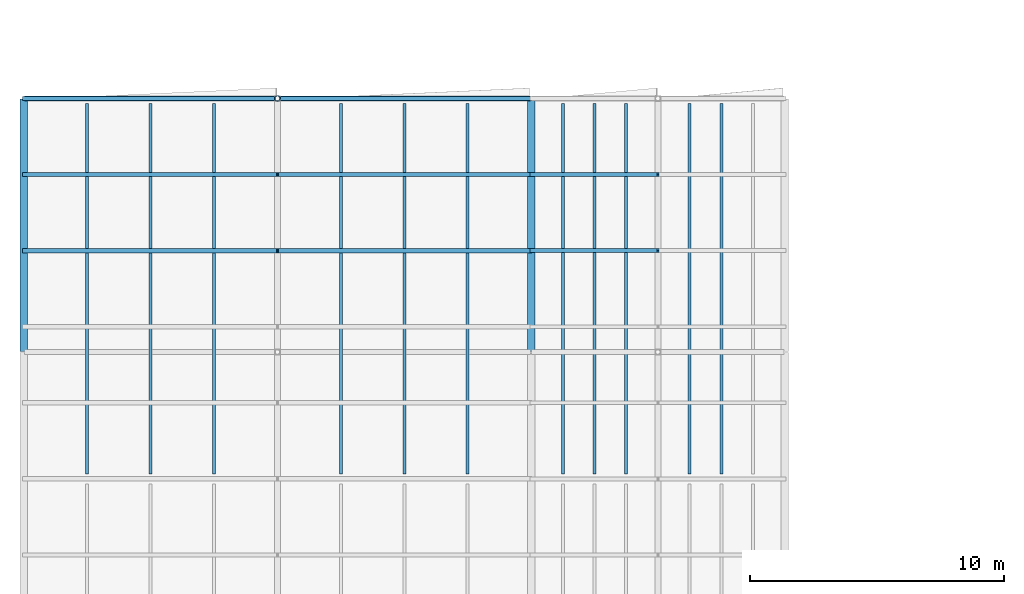
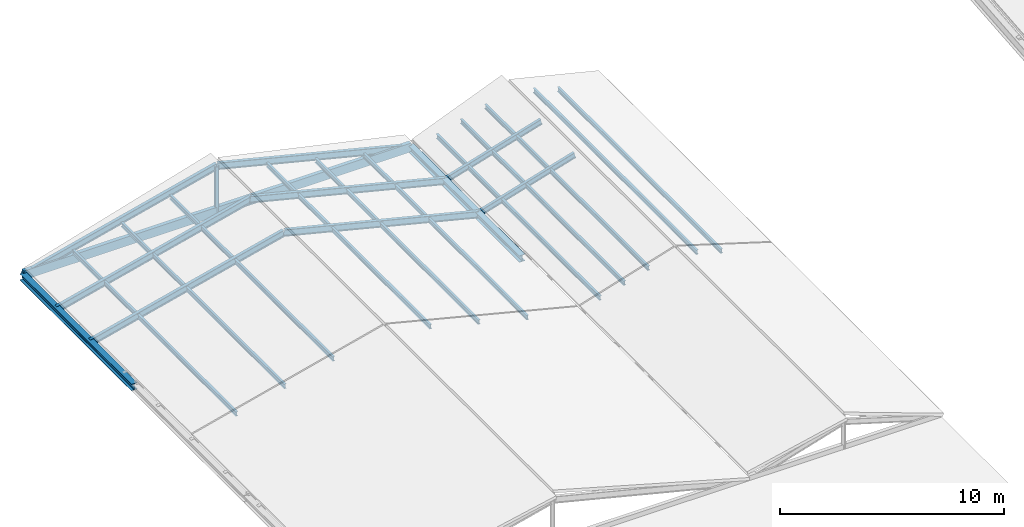
# One storey, part 7 of 90: 20 members, 3 beams.
"""IFC4 building model written with IfcOpenShell, lengths in metres."""

from ifc_helpers import new_model, si_unit, direction, frame, origin, origin_2d, place, context, subcontext, project, spatial, rectangle, hollow_circle, i_section, extrude, material, material_profile, profile_set, type_object, element, save


model = new_model("IFC4")

# Units and contexts
model_context = context("Model", 3, precision=1e-05, world=origin(), true_north=direction((0.0, 1.0)))
body_context = subcontext(model_context, "Body", "Model", "MODEL_VIEW")
ifc_project = project(units=[si_unit("LENGTHUNIT", "METRE"), si_unit("AREAUNIT", "SQUARE_METRE"), si_unit("VOLUMEUNIT", "CUBIC_METRE"), si_unit("PLANEANGLEUNIT", "RADIAN"), si_unit("MASSUNIT", "GRAM", prefix="KILO"), si_unit("THERMODYNAMICTEMPERATUREUNIT", "KELVIN"), si_unit("POWERUNIT", "WATT")], contexts=[model_context])

# Site, building, storey
site_placement = place(None, origin())
site = spatial("IfcSite", under=ifc_project, at=site_placement, CompositionType="ELEMENT")
building_placement = place(site_placement, origin())
building = spatial("IfcBuilding", under=site, at=building_placement, Name="Korenveer Ferry Terminal", CompositionType="ELEMENT")
storey_placement = place(building_placement, frame((0.0, 0.0, 22.199951171875)))
storey = spatial("IfcBuildingStorey", under=building, at=storey_placement, Name="RF", CompositionType="ELEMENT", Elevation=22.199951171875)

# Beams
ifc_material_1 = material(Name="Steel S355", Category="steel")
ifc_material_profile_1 = material_profile(ifc_material_1, i_section(OverallWidth=0.300048828125, OverallDepth=0.360107421875, WebThickness=0.012451171875, FlangeThickness=0.0224609375, FilletRadius=0.027099609375, at=origin_2d()), Name="HEB 360")
ifc_profile_set_1 = profile_set([ifc_material_profile_1], Name="Steel S355")
beam_type_1 = type_object("IfcBeamType", Name="STR-BM-HEB360", PredefinedType="BEAM", material=ifc_profile_set_1)
for number, where, z_axis, x_axis, name in (
    (1, (0.0, 50.02001953125, 0.179931640625), (0.0, 1.0, 0.0), (-1.0, 0.0, 0.0), "Wing eave beam WEST 174"),
    (2, (20.0, 50.02001953125, 0.179931640625), (0.0, 1.0, 0.0), (-1.0, 0.0, 0.0), "Wing eave beam WEST 177"),
):
    element("IfcBeam", number, at=place(storey_placement, frame(where, z_axis=z_axis, x_axis=x_axis)), inside=storey, type_object=beam_type_1, Name=name, PredefinedType="BEAM", context=body_context, shape_type="SweptSolid", body=[
        extrude(i_section(OverallWidth=0.300048828125, OverallDepth=0.360107421875, WebThickness=0.012451171875, FlangeThickness=0.0224609375, FilletRadius=0.027099609375, at=origin_2d()), origin(), (0.0, 0.0, 1.0), 9.9599609375),
    ])

# Members
ifc_material_profile_2 = material_profile(ifc_material_1, i_section(OverallWidth=0.1201171875, OverallDepth=0.239990234375, WebThickness=0.006103515625, FlangeThickness=0.009765625, FilletRadius=0.014892578125, at=origin_2d()), Name="IPE 240")
ifc_profile_set_2 = profile_set([ifc_material_profile_2], Name="Steel S355")
member_type_1 = type_object("IfcMemberType", Name="STR-PUR-IPE240", PredefinedType="PURLIN", material=ifc_profile_set_2)
for number, where, z_axis, x_axis, name in (
    (3, (2.5, 45.199951171875, 0.7451171875), (0.0, 1.0, 0.0), (-1.0, 0.0, 0.0), "Pitched wing roof steel purlin 278"),
    (4, (5.0, 45.199951171875, 1.3701171875), (0.0, 1.0, 0.0), (-1.0, 0.0, 0.0), "Pitched wing roof steel purlin 280"),
    (5, (7.5, 45.199951171875, 1.9951171875), (0.0, 1.0, 0.0), (-1.0, 0.0, 0.0), "Pitched wing roof steel purlin 282"),
    (6, (12.5, 45.199951171875, 1.9951171875), (0.0, 1.0, 0.0), (-1.0, 0.0, 0.0), "Pitched wing roof steel purlin 284"),
    (7, (15.0, 45.199951171875, 1.3701171875), (0.0, 1.0, 0.0), (-1.0, 0.0, 0.0), "Pitched wing roof steel purlin 286"),
    (8, (17.5, 45.199951171875, 0.7451171875), (0.0, 1.0, 0.0), (-1.0, 0.0, 0.0), "Pitched wing roof steel purlin 288"),
    (9, (21.25, 45.199951171875, 0.4951171875), (0.0, 1.0, 0.0), (-1.0, 0.0, 0.0), "Pitched wing roof steel purlin 290"),
    (10, (22.5, 45.199951171875, 0.8701171875), (0.0, 1.0, 0.0), (-1.0, 0.0, 0.0), "Pitched wing roof steel purlin 292"),
    (11, (23.75, 45.199951171875, 1.2451171875), (0.0, 1.0, 0.0), (-1.0, 0.0, 0.0), "Pitched wing roof steel purlin 294"),
    (12, (26.25, 45.199951171875, 1.2451171875), (0.0, 1.0, 0.0), (-1.0, 0.0, 0.0), "Pitched wing roof steel purlin 296"),
    (13, (27.5, 45.199951171875, 0.8701171875), (0.0, 1.0, 0.0), (-1.0, 0.0, 0.0), "Pitched wing roof steel purlin 298"),
):
    element("IfcMember", number, at=place(storey_placement, frame(where, z_axis=z_axis, x_axis=x_axis)), inside=storey, type_object=member_type_1, Name=name, PredefinedType="PURLIN", context=body_context, shape_type="SweptSolid", body=[
        extrude(i_section(OverallWidth=0.1201171875, OverallDepth=0.239990234375, WebThickness=0.006103515625, FlangeThickness=0.009765625, FilletRadius=0.014892578125, at=origin_2d()), origin(), (0.0, 0.0, 1.0), 14.60009765625),
    ])
ifc_material_profile_3 = material_profile(ifc_material_1, i_section(OverallWidth=0.14990234375, OverallDepth=0.300048828125, WebThickness=0.007080078125, FlangeThickness=0.0107421875, FilletRadius=0.014892578125, at=origin_2d()), Name="IPE 300")
ifc_profile_set_3 = profile_set([ifc_material_profile_3], Name="Steel S355")
member_type_2 = type_object("IfcMemberType", Name="STR-RAF-IPE300", PredefinedType="RAFTER", material=ifc_profile_set_3)
for number, where, z_axis, x_axis, name in (
    (14, (20.0, 54.0, 0.179931640625), (0.957826285221, 0.0, 0.287347885566), (0.0, 1.0, 0.0), "Pitched roof rafter 123"),
    (15, (20.0, 57.0, 0.179931640625), (0.957826285221, 0.0, 0.287347885566), (0.0, 1.0, 0.0), "Pitched roof rafter 125"),
):
    element("IfcMember", number, at=place(storey_placement, frame(where, z_axis=z_axis, x_axis=x_axis)), inside=storey, type_object=member_type_2, Name=name, PredefinedType="RAFTER", context=body_context, shape_type="SweptSolid", body=[
        extrude(i_section(OverallWidth=0.14990234375, OverallDepth=0.300048828125, WebThickness=0.007080078125, FlangeThickness=0.0107421875, FilletRadius=0.014892578125, at=origin_2d()), origin(), (0.0, 0.0, 1.0), 5.22021484375),
    ])
ifc_material_profile_4 = material_profile(ifc_material_1, i_section(OverallWidth=0.169921875, OverallDepth=0.360107421875, WebThickness=0.008056640625, FlangeThickness=0.0126953125, FilletRadius=0.01806640625, at=origin_2d()), Name="IPE 360")
ifc_profile_set_4 = profile_set([ifc_material_profile_4], Name="Steel S355")
member_type_3 = type_object("IfcMemberType", Name="STR-RAF-IPE360", PredefinedType="RAFTER", material=ifc_profile_set_4)
for number, where, z_axis, x_axis, name in (
    (16, (0.0, 54.0, 0.179931640625), (0.970142500145, 0.0, 0.242535625036), (0.0, 1.0, 0.0), "Pitched roof rafter 101"),
    (17, (10.0, 54.0, 2.679931640625), (0.970142500145, 0.0, -0.242535625036), (0.0, 1.0, 0.0), "Pitched roof rafter 102"),
    (18, (0.0, 57.0, 0.179931640625), (0.970142500145, 0.0, 0.242535625036), (0.0, 1.0, 0.0), "Pitched roof rafter 103"),
    (19, (10.0, 57.0, 2.679931640625), (0.970142500145, 0.0, -0.242535625036), (0.0, 1.0, 0.0), "Pitched roof rafter 104"),
    (20, (0.0, 60.0, 0.179931640625), (0.970142500145, 0.0, 0.242535625036), (0.0, 1.0, 0.0), "Pitched roof rafter 105"),
    (21, (10.0, 60.0, 2.679931640625), (0.970142500145, 0.0, -0.242535625036), (0.0, 1.0, 0.0), "Pitched roof rafter 106"),
):
    element("IfcMember", number, at=place(storey_placement, frame(where, z_axis=z_axis, x_axis=x_axis)), inside=storey, type_object=member_type_3, Name=name, PredefinedType="RAFTER", context=body_context, shape_type="SweptSolid", body=[
        extrude(i_section(OverallWidth=0.169921875, OverallDepth=0.360107421875, WebThickness=0.008056640625, FlangeThickness=0.0126953125, FilletRadius=0.01806640625, at=origin_2d()), origin(), (0.0, 0.0, 1.0), 10.307861328125),
    ])

# Beam
ifc_material_2 = material(Name="Glulam GL28h", Category="wood")
ifc_material_profile_5 = material_profile(ifc_material_2, rectangle(XDim=0.199951171875, YDim=0.47998046875, at=origin_2d()), Name="GL 200x480")
ifc_profile_set_5 = profile_set([ifc_material_profile_5], Name="Glulam GL28h")
beam_type_2 = type_object("IfcBeamType", Name="STR-RFG-GL200", PredefinedType="USERDEFINED", material=ifc_profile_set_5)
beam_placement = place(storey_placement, frame((0.02001953125, 60.0, 0.239990234375), z_axis=(1.0, 0.0, 0.0), x_axis=(0.0, 1.0, 0.0)))
element("IfcBeam", 22, at=beam_placement, inside=storey, type_object=beam_type_2, Name="Wing roof collar tie WEST 182", ObjectType="ROOF GIRDER", PredefinedType="USERDEFINED", context=body_context, shape_type="SweptSolid", body=[
    extrude(rectangle(XDim=0.199951171875, YDim=0.47998046875, at=origin_2d()), origin(), (0.0, 0.0, 1.0), 19.9599609375),
])

# Member
ifc_material_profile_6 = material_profile(ifc_material_1, hollow_circle(Radius=0.109619140625, WallThickness=0.012451171875, at=origin_2d()), Name="CHS 219.1x12.5")
ifc_profile_set_6 = profile_set([ifc_material_profile_6], Name="Steel S355")
member_type_4 = type_object("IfcMemberType", Name="STR-STT-CHS219", PredefinedType="STRUT", material=ifc_profile_set_6)
member_placement = place(storey_placement, frame((10.0, 60.0, 0.179931640625), z_axis=(0.0, 0.0, 1.0), x_axis=(1.0, 0.0, 0.0)))
element("IfcMember", 23, at=member_placement, inside=storey, type_object=member_type_4, Name="Wing ridge strut STTWR-WEST-Y60", PredefinedType="STRUT", context=body_context, shape_type="SweptSolid", body=[
    extrude(hollow_circle(Radius=0.109619140625, WallThickness=0.012451171875, at=origin_2d()), origin(), (0.0, 0.0, 1.0), 2.5),
])

save(model, "model.ifc")
